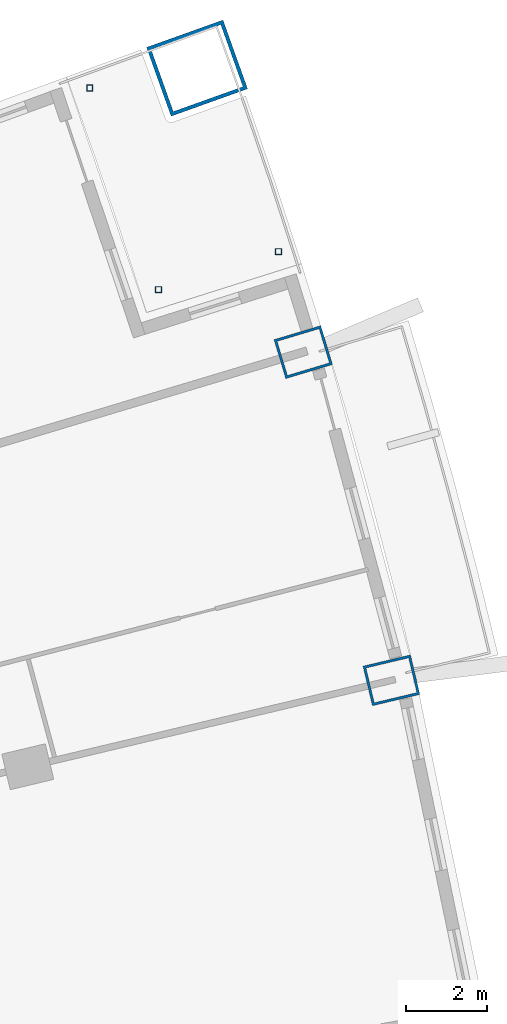
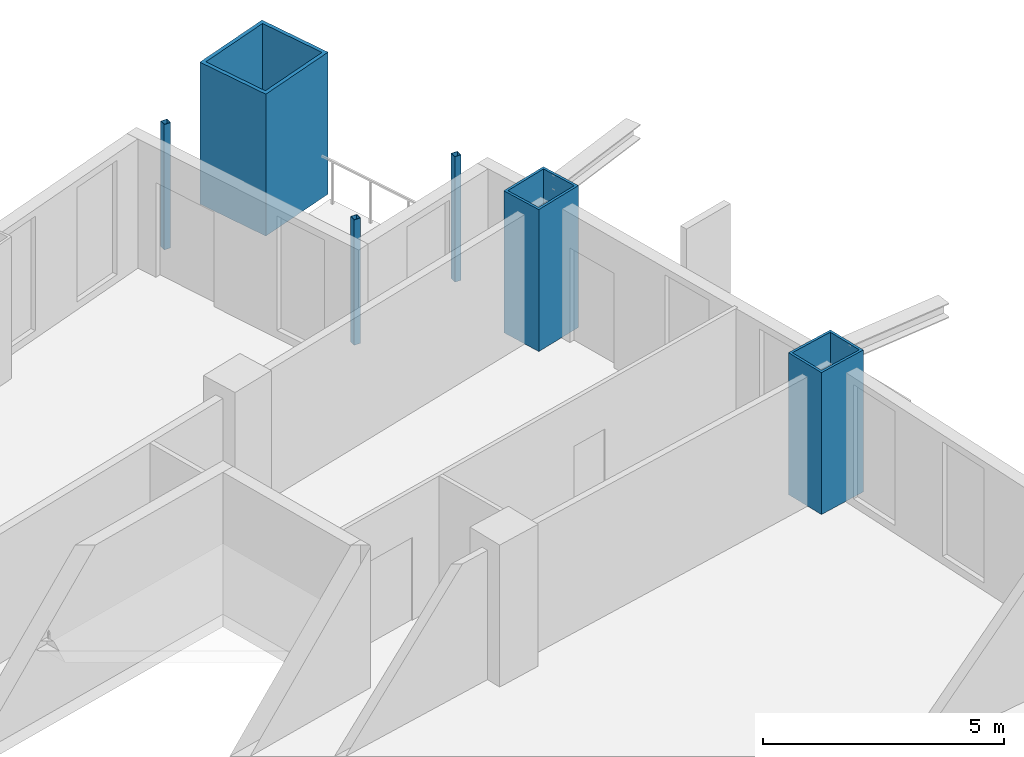
# One storey, part 11 of 25: 6 columns.
"""IFC4 building model written with IfcOpenShell, lengths in metres."""

from ifc_helpers import new_model, si_unit, direction, frame, origin, origin_2d, place, context, subcontext, project, spatial, hollow_rectangle, extrude, material, material_profile, profile_set, type_object, element, save


model = new_model("IFC4")

# Units and contexts
model_context = context("Model", 3, precision=1e-05, world=origin(), true_north=direction((0.0, 1.0)))
body_context = subcontext(model_context, "Body", "Model", "MODEL_VIEW")
ifc_project = project(units=[si_unit("LENGTHUNIT", "METRE"), si_unit("AREAUNIT", "SQUARE_METRE"), si_unit("VOLUMEUNIT", "CUBIC_METRE"), si_unit("PLANEANGLEUNIT", "RADIAN"), si_unit("MASSUNIT", "GRAM", prefix="KILO")], contexts=[model_context])

# Site, building, storey
site_placement = place(None, origin())
site = spatial("IfcSite", under=ifc_project, at=site_placement, CompositionType="ELEMENT")
building_placement = place(site_placement, origin())
building = spatial("IfcBuilding", under=site, at=building_placement, Name="Alderwake Tower", CompositionType="ELEMENT")
storey_placement = place(building_placement, frame((0.0, 0.0, 35.60009765625)))
storey = spatial("IfcBuildingStorey", under=building, at=storey_placement, Name="L07", CompositionType="ELEMENT", Elevation=35.60009765625)

# Columns
ifc_material_1 = material(Name="Steel ASTM A500 Grade C", Category="steel")
ifc_material_profile_1 = material_profile(ifc_material_1, hollow_rectangle(XDim=0.15234375, YDim=0.15234375, WallThickness=0.0087890625, at=origin_2d()), Name="HSS6X6X3/8")
ifc_profile_set_1 = profile_set([ifc_material_profile_1], Name="Steel ASTM A500 Grade C")
column_type_1 = type_object("IfcColumnType", Name="Light post HSS6X6X3/8", PredefinedType="COLUMN", material=ifc_profile_set_1)
for number, where, z_axis, x_axis, name in (
    (1, (56.734375, 104.70703125, 0.0), (0.0, 0.0, 1.0), (1.0, 0.0, 0.0), "Terrace post FN1"),
    (2, (52.08837890625, 108.737060546875, 0.0), (0.0, 0.0, 1.0), (1.0, 0.0, 0.0), "Terrace post FN2"),
    (3, (53.778564453125, 103.7724609375, 0.0), (0.0, 0.0, 1.0), (1.0, 0.0, 0.0), "Terrace post FN3"),
):
    element("IfcColumn", number, at=place(storey_placement, frame(where, z_axis=z_axis, x_axis=x_axis)), inside=storey, type_object=column_type_1, Name=name, PredefinedType="COLUMN", context=body_context, shape_type="SweptSolid", body=[
        extrude(hollow_rectangle(XDim=0.15234375, YDim=0.15234375, WallThickness=0.0087890625, at=origin_2d()), origin(), (0.0, 0.0, 1.0), 3.179931640625),
    ])
ifc_material_2 = material(Name="Steel ASTM A572 Grade 50 concrete filled C70/85", Category="concrete")
ifc_material_profile_2 = material_profile(ifc_material_2, hollow_rectangle(XDim=1.800048828125, YDim=2.0, WallThickness=0.090087890625, at=origin_2d()), Name="BOX 2000X1800X90")
ifc_profile_set_2 = profile_set([ifc_material_profile_2], Name="Steel ASTM A572 Grade 50 concrete filled C70/85")
column_type_2 = type_object("IfcColumnType", Name="Mega column Z1", PredefinedType="COLUMN", material=ifc_profile_set_2)
column_placement = place(storey_placement, frame((54.7294921875, 109.22412109375, 0.0), z_axis=(0.0, 0.0, 1.0), x_axis=(-0.336995022772, 0.941506428351, 0.0)))
element("IfcColumn", 4, at=column_placement, inside=storey, type_object=column_type_2, Name="Column R13-C5", PredefinedType="COLUMN", context=body_context, shape_type="SweptSolid", body=[
    extrude(hollow_rectangle(XDim=1.800048828125, YDim=2.0, WallThickness=0.090087890625, at=origin_2d()), origin(), (0.0, 0.0, 1.0), 3.599853515625),
])
ifc_material_3 = material(Name="Steel ASTM A572 Grade 50 concrete filled C70/85", Category="concrete")
ifc_material_profile_3 = material_profile(ifc_material_3, hollow_rectangle(XDim=1.0, YDim=1.199951171875, WallThickness=0.06005859375, at=origin_2d()), Name="BOX 1200X1000X60")
ifc_profile_set_3 = profile_set([ifc_material_profile_3], Name="Steel ASTM A572 Grade 50 concrete filled C70/85")
column_type_3 = type_object("IfcColumnType", Name="Perimeter column Z1", PredefinedType="COLUMN", material=ifc_profile_set_3)
for number, where, z_axis, x_axis, name in (
    (5, (59.513916015625, 94.1572265625, 0.0), (0.0, 0.0, 1.0), (-0.231221547198, 0.972901123502, 0.0), "Column R11-C5"),
    (6, (57.343505859375, 102.234619140625, 0.0), (0.0, 0.0, 1.0), (-0.287549418125, 0.957765802342, 0.0), "Column R12-C5"),
):
    element("IfcColumn", number, at=place(storey_placement, frame(where, z_axis=z_axis, x_axis=x_axis)), inside=storey, type_object=column_type_3, Name=name, PredefinedType="COLUMN", context=body_context, shape_type="SweptSolid", body=[
        extrude(hollow_rectangle(XDim=1.0, YDim=1.199951171875, WallThickness=0.06005859375, at=origin_2d()), origin(), (0.0, 0.0, 1.0), 3.599853515625),
    ])

save(model, "model.ifc")
